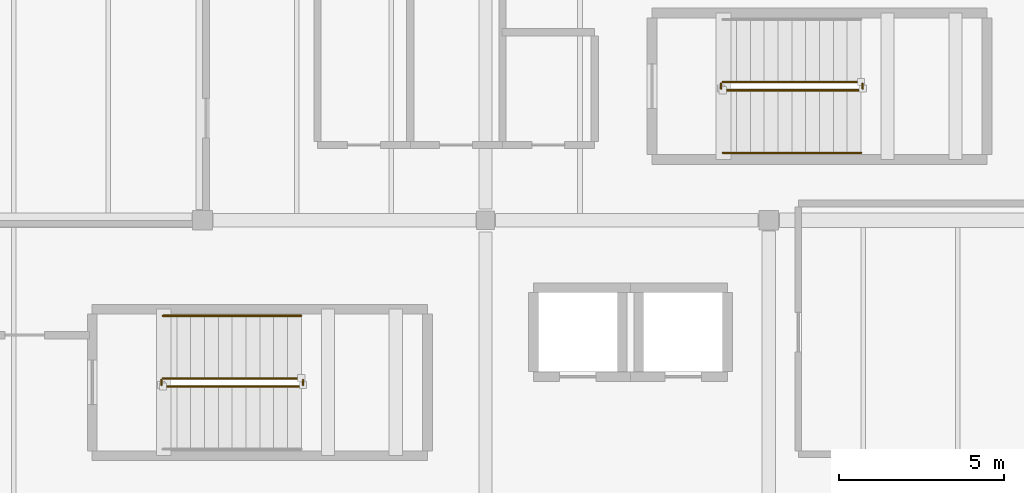
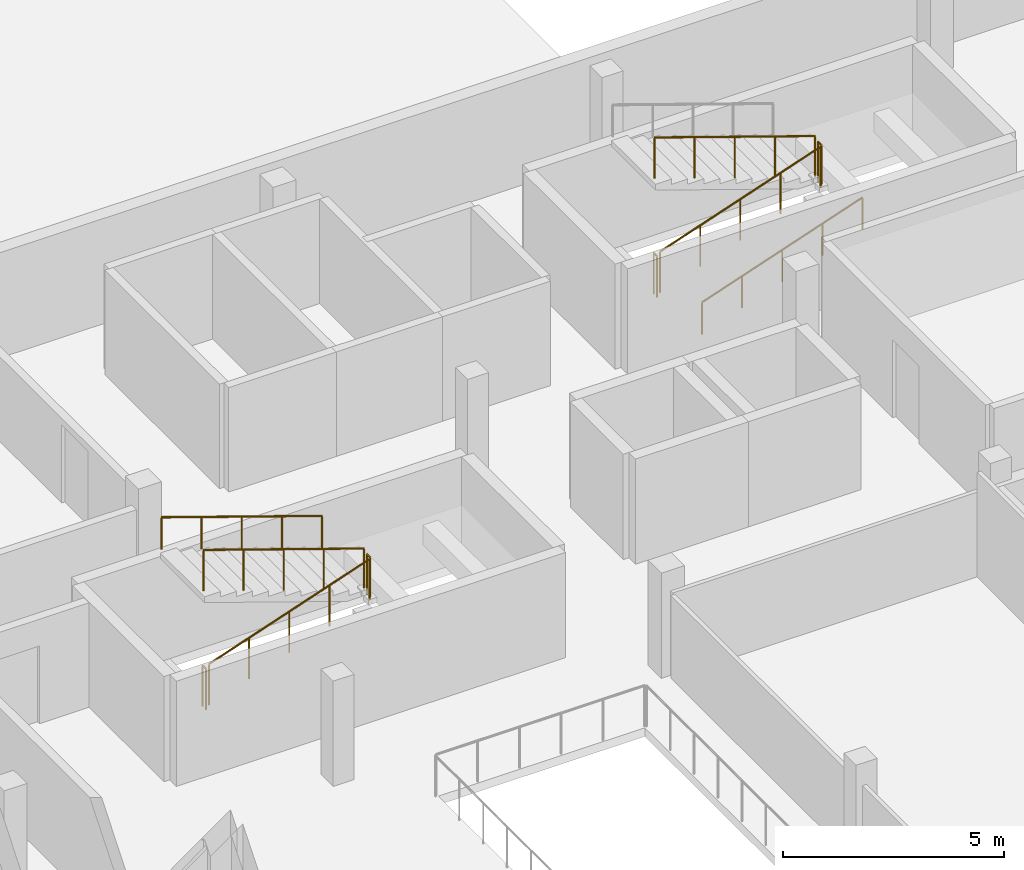
# One storey, part 16 of 17: 10 railings.
"""IFC4 building model written with IfcOpenShell, lengths in metres."""

from ifc_helpers import new_model, si_unit, direction, frame, origin, origin_2d, place, context, subcontext, project, spatial, circle, extrude, material, layer, layer_set, type_object, element, save


model = new_model("IFC4")

# Units and contexts
model_context = context("Model", 3, precision=1e-05, world=origin(), true_north=direction((0.0, 1.0)))
body_context = subcontext(model_context, "Body", "Model", "MODEL_VIEW")
ifc_project = project(units=[si_unit("LENGTHUNIT", "METRE"), si_unit("AREAUNIT", "SQUARE_METRE"), si_unit("VOLUMEUNIT", "CUBIC_METRE"), si_unit("PLANEANGLEUNIT", "RADIAN"), si_unit("MASSUNIT", "GRAM", prefix="KILO")], contexts=[model_context])

# Site, building, storey
site_placement = place(None, origin())
site = spatial("IfcSite", under=ifc_project, at=site_placement, CompositionType="ELEMENT")
building_placement = place(site_placement, origin())
building = spatial("IfcBuilding", under=site, at=building_placement, Name="Varnakota Cinema and Media Centre", CompositionType="ELEMENT")
storey_placement = place(building_placement, frame((0.0, 0.0, 22.35009765625)))
storey = spatial("IfcBuildingStorey", under=building, at=storey_placement, Name="L06", CompositionType="ELEMENT", Elevation=22.35009765625)

# Railings
ifc_material_1 = material(Name="Structural steel Grade 350 (E350)", Category="steel")
ifc_layer_1 = layer(ifc_material_1, 0.050048828125)
ifc_layer_set_1 = layer_set([ifc_layer_1], Name="Structural steel Grade 350 (E350)")
railing_type_1 = type_object("IfcRailingType", Name="RAIL-STAIR-GUARD-1150", PredefinedType="GUARDRAIL", material=ifc_layer_set_1)
railing_1_placement = place(storey_placement, frame((7.39990234375, 21.35009765625, 0.14306640625)))
element("IfcRailing", 1, at=railing_1_placement, inside=storey, type_object=railing_type_1, Name="L06 ST-01 stair guard 1", PredefinedType="GUARDRAIL", context=body_context, shape_type="SweptSolid", body=[
    extrude(circle(Radius=0.02392578125, at=origin_2d()), frame((0.0, 0.0, 1.1259765625), z_axis=(0.946510188179, 0.0, 0.322673927788), x_axis=(0.0, 1.0, 0.0)), (0.0, 0.0, 1.0), 4.4375),
    extrude(circle(Radius=0.02099609375, at=origin_2d()), origin(), (0.0, 0.0, 1.0), 1.101806640625),
    extrude(circle(Radius=0.02099609375, at=origin_2d()), frame((1.050048828125, 0.0, 0.35791015625)), (0.0, 0.0, 1.0), 1.101806640625),
    extrude(circle(Radius=0.02099609375, at=origin_2d()), frame((2.10009765625, 0.0, 0.7158203125)), (0.0, 0.0, 1.0), 1.101806640625),
    extrude(circle(Radius=0.02099609375, at=origin_2d()), frame((3.150146484375, 0.0, 1.073974609375)), (0.0, 0.0, 1.0), 1.101806640625),
    extrude(circle(Radius=0.02099609375, at=origin_2d()), frame((4.2001953125, 0.0, 1.431884765625)), (0.0, 0.0, 1.0), 1.101806640625),
])
railing_2_placement = place(storey_placement, frame((11.64990234375, 21.39990234375, 1.574951171875)))
element("IfcRailing", 2, at=railing_2_placement, inside=storey, type_object=railing_type_1, Name="L06 ST-01 stair guard 2", PredefinedType="GUARDRAIL", context=body_context, shape_type="SweptSolid", body=[
    extrude(circle(Radius=0.02392578125, at=origin_2d()), frame((0.0, 0.0, 1.1259765625), z_axis=(0.0, 1.0, 0.0), x_axis=(-1.0, 0.0, 0.0)), (0.0, 0.0, 1.0), 0.150146484375),
    extrude(circle(Radius=0.02099609375, at=origin_2d()), origin(), (0.0, 0.0, 1.0), 1.101806640625),
    extrude(circle(Radius=0.02099609375, at=origin_2d()), frame((0.0, 0.150146484375, 0.0)), (0.0, 0.0, 1.0), 1.101806640625),
])
railing_3_placement = place(storey_placement, frame((11.60009765625, 21.60009765625, 1.718017578125)))
element("IfcRailing", 3, at=railing_3_placement, inside=storey, type_object=railing_type_1, Name="L06 ST-01 stair guard 3", PredefinedType="GUARDRAIL", context=body_context, shape_type="SweptSolid", body=[
    extrude(circle(Radius=0.02392578125, at=origin_2d()), frame((0.0, 0.0, 1.1259765625), z_axis=(-0.946510188179, 0.0, 0.322673927788), x_axis=(0.0, -1.0, 0.0)), (0.0, 0.0, 1.0), 4.4375),
    extrude(circle(Radius=0.02099609375, at=origin_2d()), origin(), (0.0, 0.0, 1.0), 1.101806640625),
    extrude(circle(Radius=0.02099609375, at=origin_2d()), frame((-1.050048828125, 0.0, 0.35791015625)), (0.0, 0.0, 1.0), 1.101806640625),
    extrude(circle(Radius=0.02099609375, at=origin_2d()), frame((-2.10009765625, 0.0, 0.7158203125)), (0.0, 0.0, 1.0), 1.101806640625),
    extrude(circle(Radius=0.02099609375, at=origin_2d()), frame((-3.150146484375, 0.0, 1.073974609375)), (0.0, 0.0, 1.0), 1.101806640625),
    extrude(circle(Radius=0.02099609375, at=origin_2d()), frame((-4.2001953125, 0.0, 1.431884765625)), (0.0, 0.0, 1.0), 1.101806640625),
])
railing_4_placement = place(storey_placement, frame((7.35009765625, 21.39990234375, 0.0)))
element("IfcRailing", 4, at=railing_4_placement, inside=storey, type_object=railing_type_1, Name="L06 ST-01 stair guard 4", PredefinedType="GUARDRAIL", context=body_context, shape_type="SweptSolid", body=[
    extrude(circle(Radius=0.02392578125, at=origin_2d()), frame((0.0, 0.0, 1.1259765625), z_axis=(0.0, 1.0, 0.0), x_axis=(-1.0, 0.0, 0.0)), (0.0, 0.0, 1.0), 0.150146484375),
    extrude(circle(Radius=0.02099609375, at=origin_2d()), origin(), (0.0, 0.0, 1.0), 1.101806640625),
    extrude(circle(Radius=0.02099609375, at=origin_2d()), frame((0.0, 0.150146484375, 0.0)), (0.0, 0.0, 1.0), 1.101806640625),
])
railing_5_placement = place(storey_placement, frame((24.39990234375, 30.35009765625, 0.14306640625)))
element("IfcRailing", 5, at=railing_5_placement, inside=storey, type_object=railing_type_1, Name="L06 ST-02 stair guard 1", PredefinedType="GUARDRAIL", context=body_context, shape_type="SweptSolid", body=[
    extrude(circle(Radius=0.02392578125, at=origin_2d()), frame((0.0, 0.0, 1.1259765625), z_axis=(0.946510188179, 0.0, 0.322673927788), x_axis=(0.0, 1.0, 0.0)), (0.0, 0.0, 1.0), 4.4375),
    extrude(circle(Radius=0.02099609375, at=origin_2d()), origin(), (0.0, 0.0, 1.0), 1.101806640625),
    extrude(circle(Radius=0.02099609375, at=origin_2d()), frame((1.050048828125, 0.0, 0.35791015625)), (0.0, 0.0, 1.0), 1.101806640625),
    extrude(circle(Radius=0.02099609375, at=origin_2d()), frame((2.10009765625, 0.0, 0.7158203125)), (0.0, 0.0, 1.0), 1.101806640625),
    extrude(circle(Radius=0.02099609375, at=origin_2d()), frame((3.150146484375, 0.0, 1.073974609375)), (0.0, 0.0, 1.0), 1.101806640625),
    extrude(circle(Radius=0.02099609375, at=origin_2d()), frame((4.2001953125, 0.0, 1.431884765625)), (0.0, 0.0, 1.0), 1.101806640625),
])
railing_6_placement = place(storey_placement, frame((28.64990234375, 30.39990234375, 1.574951171875)))
element("IfcRailing", 6, at=railing_6_placement, inside=storey, type_object=railing_type_1, Name="L06 ST-02 stair guard 2", PredefinedType="GUARDRAIL", context=body_context, shape_type="SweptSolid", body=[
    extrude(circle(Radius=0.02392578125, at=origin_2d()), frame((0.0, 0.0, 1.1259765625), z_axis=(0.0, 1.0, 0.0), x_axis=(-1.0, 0.0, 0.0)), (0.0, 0.0, 1.0), 0.150146484375),
    extrude(circle(Radius=0.02099609375, at=origin_2d()), origin(), (0.0, 0.0, 1.0), 1.101806640625),
    extrude(circle(Radius=0.02099609375, at=origin_2d()), frame((0.0, 0.150146484375, 0.0)), (0.0, 0.0, 1.0), 1.101806640625),
])
railing_7_placement = place(storey_placement, frame((28.60009765625, 30.60009765625, 1.718017578125)))
element("IfcRailing", 7, at=railing_7_placement, inside=storey, type_object=railing_type_1, Name="L06 ST-02 stair guard 3", PredefinedType="GUARDRAIL", context=body_context, shape_type="SweptSolid", body=[
    extrude(circle(Radius=0.02392578125, at=origin_2d()), frame((0.0, 0.0, 1.1259765625), z_axis=(-0.946510188179, 0.0, 0.322673927788), x_axis=(0.0, -1.0, 0.0)), (0.0, 0.0, 1.0), 4.4375),
    extrude(circle(Radius=0.02099609375, at=origin_2d()), origin(), (0.0, 0.0, 1.0), 1.101806640625),
    extrude(circle(Radius=0.02099609375, at=origin_2d()), frame((-1.050048828125, 0.0, 0.35791015625)), (0.0, 0.0, 1.0), 1.101806640625),
    extrude(circle(Radius=0.02099609375, at=origin_2d()), frame((-2.10009765625, 0.0, 0.7158203125)), (0.0, 0.0, 1.0), 1.101806640625),
    extrude(circle(Radius=0.02099609375, at=origin_2d()), frame((-3.150146484375, 0.0, 1.073974609375)), (0.0, 0.0, 1.0), 1.101806640625),
    extrude(circle(Radius=0.02099609375, at=origin_2d()), frame((-4.2001953125, 0.0, 1.431884765625)), (0.0, 0.0, 1.0), 1.101806640625),
])
railing_8_placement = place(storey_placement, frame((24.35009765625, 30.39990234375, 0.0)))
element("IfcRailing", 8, at=railing_8_placement, inside=storey, type_object=railing_type_1, Name="L06 ST-02 stair guard 4", PredefinedType="GUARDRAIL", context=body_context, shape_type="SweptSolid", body=[
    extrude(circle(Radius=0.02392578125, at=origin_2d()), frame((0.0, 0.0, 1.1259765625), z_axis=(0.0, 1.0, 0.0), x_axis=(-1.0, 0.0, 0.0)), (0.0, 0.0, 1.0), 0.150146484375),
    extrude(circle(Radius=0.02099609375, at=origin_2d()), origin(), (0.0, 0.0, 1.0), 1.101806640625),
    extrude(circle(Radius=0.02099609375, at=origin_2d()), frame((0.0, 0.150146484375, 0.0)), (0.0, 0.0, 1.0), 1.101806640625),
])
ifc_material_2 = material(Name="Structural steel Grade 350 (E350)", Category="steel")
ifc_layer_2 = layer(ifc_material_2, 0.048095703125)
ifc_layer_set_2 = layer_set([ifc_layer_2], Name="Structural steel Grade 350 (E350)")
railing_type_2 = type_object("IfcRailingType", Name="RAIL-STAIR-HAND-900", PredefinedType="HANDRAIL", material=ifc_layer_set_2)
railing_9_placement = place(storey_placement, frame((11.60009765625, 23.5, 1.718017578125)))
element("IfcRailing", 9, at=railing_9_placement, inside=storey, type_object=railing_type_2, Name="L06 ST-01 stair handrail 2", PredefinedType="HANDRAIL", context=body_context, shape_type="SweptSolid", body=[
    extrude(circle(Radius=0.02392578125, at=origin_2d()), frame((0.0, 0.0, 0.8759765625), z_axis=(-0.946510188179, 0.0, 0.322673927788), x_axis=(0.0, -1.0, 0.0)), (0.0, 0.0, 1.0), 4.4375),
    extrude(circle(Radius=0.02099609375, at=origin_2d()), origin(), (0.0, 0.0, 1.0), 0.851806640625),
    extrude(circle(Radius=0.02099609375, at=origin_2d()), frame((-1.050048828125, 0.0, 0.35791015625)), (0.0, 0.0, 1.0), 0.851806640625),
    extrude(circle(Radius=0.02099609375, at=origin_2d()), frame((-2.10009765625, 0.0, 0.7158203125)), (0.0, 0.0, 1.0), 0.851806640625),
    extrude(circle(Radius=0.02099609375, at=origin_2d()), frame((-3.150146484375, 0.0, 1.073974609375)), (0.0, 0.0, 1.0), 0.851806640625),
    extrude(circle(Radius=0.02099609375, at=origin_2d()), frame((-4.2001953125, 0.0, 1.431884765625)), (0.0, 0.0, 1.0), 0.851806640625),
])
railing_10_placement = place(storey_placement, frame((24.39990234375, 28.449951171875, 0.14306640625)))
element("IfcRailing", 10, at=railing_10_placement, inside=storey, type_object=railing_type_2, Name="L06 ST-02 stair handrail 1", PredefinedType="HANDRAIL", context=body_context, shape_type="SweptSolid", body=[
    extrude(circle(Radius=0.02392578125, at=origin_2d()), frame((0.0, 0.0, 0.8759765625), z_axis=(0.946510188179, 0.0, 0.322673927788), x_axis=(0.0, 1.0, 0.0)), (0.0, 0.0, 1.0), 4.4375),
    extrude(circle(Radius=0.02099609375, at=origin_2d()), origin(), (0.0, 0.0, 1.0), 0.851806640625),
    extrude(circle(Radius=0.02099609375, at=origin_2d()), frame((1.050048828125, 0.0, 0.35791015625)), (0.0, 0.0, 1.0), 0.851806640625),
    extrude(circle(Radius=0.02099609375, at=origin_2d()), frame((2.10009765625, 0.0, 0.7158203125)), (0.0, 0.0, 1.0), 0.851806640625),
    extrude(circle(Radius=0.02099609375, at=origin_2d()), frame((3.150146484375, 0.0, 1.073974609375)), (0.0, 0.0, 1.0), 0.851806640625),
    extrude(circle(Radius=0.02099609375, at=origin_2d()), frame((4.2001953125, 0.0, 1.431884765625)), (0.0, 0.0, 1.0), 0.851806640625),
])

save(model, "model.ifc")
